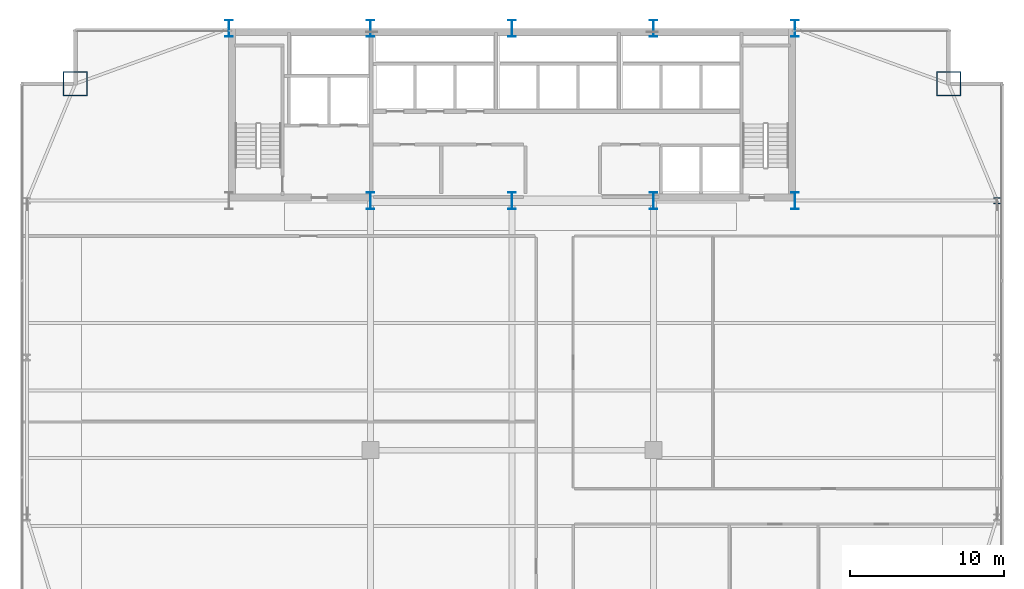
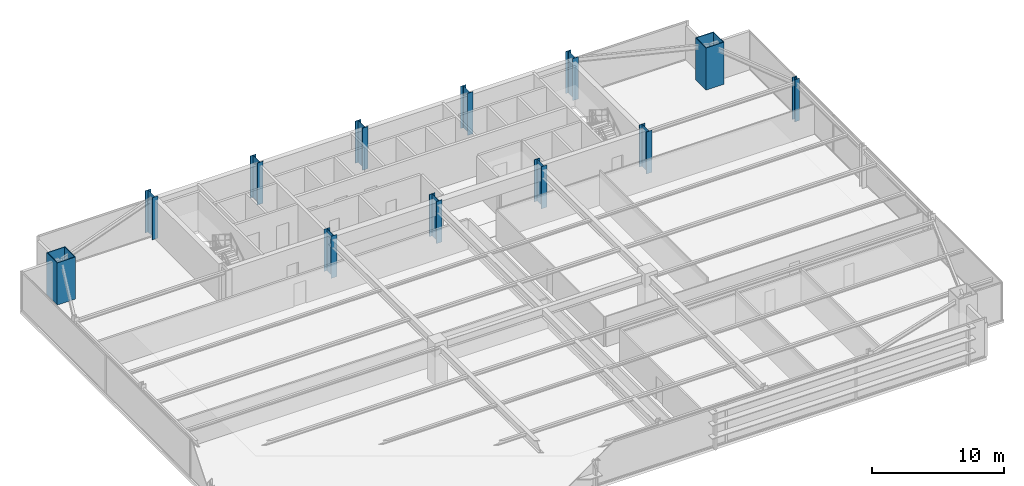
# One storey, part 2 of 32: 12 columns.
"""IFC4 building model written with IfcOpenShell, lengths in metres."""

from ifc_helpers import new_model, si_unit, direction, frame, origin, origin_2d, place, context, subcontext, project, spatial, hollow_rectangle, i_section, extrude, source, transform, mapped, material, material_profile, profile_set, type_object, type_shapes, element, save


model = new_model("IFC4")

# Units and contexts
model_context = context("Model", 3, precision=1e-05, world=origin(), true_north=direction((0.0, 1.0)))
body_context = subcontext(model_context, "Body", "Model", "MODEL_VIEW")
ifc_project = project(units=[si_unit("LENGTHUNIT", "METRE"), si_unit("AREAUNIT", "SQUARE_METRE"), si_unit("VOLUMEUNIT", "CUBIC_METRE"), si_unit("PLANEANGLEUNIT", "RADIAN"), si_unit("MASSUNIT", "GRAM", prefix="KILO")], contexts=[model_context])

# Site, building, storey
site_placement = place(None, origin())
site = spatial("IfcSite", under=ifc_project, at=site_placement, CompositionType="ELEMENT")
building_placement = place(site_placement, origin())
building = spatial("IfcBuilding", under=site, at=building_placement, Name="Varnel Quay Broadcast Tower", CompositionType="ELEMENT")
storey_placement = place(building_placement, frame((0.0, 0.0, 78.300048828125)))
storey = spatial("IfcBuildingStorey", under=building, at=storey_placement, Name="L18", CompositionType="ELEMENT", Elevation=78.300048828125)

# Columns
ifc_material_1 = material(Name="Structural Steel CSA G40.21 350WT", Category="steel")
ifc_material_profile_1 = material_profile(ifc_material_1, i_section(OverallWidth=0.5, OverallDepth=1.10009765625, WebThickness=0.01806640625, FlangeThickness=0.031982421875, FilletRadius=0.01806640625, at=origin_2d()), Name="WWF1100X418")
ifc_profile_set_1 = profile_set([ifc_material_profile_1], Name="Structural Steel CSA G40.21 350WT")
column_type_1 = type_object("IfcColumnType", Name="Col_WWF1100X418", PredefinedType="COLUMN", material=ifc_profile_set_1)
shared_shape_1 = source(origin(), body_context, "Body", "SweptSolid", [
    extrude(i_section(OverallWidth=0.5, OverallDepth=1.10009765625, WebThickness=0.01806640625, FlangeThickness=0.031982421875, FilletRadius=0.01806640625, at=origin_2d()), origin(), (0.0, 0.0, 1.0), 3.89990234375),
])
type_shapes(column_type_1, [shared_shape_1])
for number, where, z_axis, x_axis, name in (
    (1, (15.60009765625, 46.800048828125, 0.0), (0.0, 0.0, 1.0), (1.0, 0.0, 0.0), "L18 Column CC-N1"),
    (2, (24.800048828125, 35.60009765625, 0.0), (0.0, 0.0, 1.0), (1.0, 0.0, 0.0), "L18 Column CC-S2"),
    (3, (24.800048828125, 46.800048828125, 0.0), (0.0, 0.0, 1.0), (1.0, 0.0, 0.0), "L18 Column CC-N2"),
    (4, (34.0, 35.60009765625, 0.0), (0.0, 0.0, 1.0), (1.0, 0.0, 0.0), "L18 Column CC-S3"),
    (5, (34.0, 46.800048828125, 0.0), (0.0, 0.0, 1.0), (1.0, 0.0, 0.0), "L18 Column CC-N3"),
    (6, (43.199951171875, 35.60009765625, 0.0), (0.0, 0.0, 1.0), (1.0, 0.0, 0.0), "L18 Column CC-S4"),
    (7, (43.199951171875, 46.800048828125, 0.0), (0.0, 0.0, 1.0), (1.0, 0.0, 0.0), "L18 Column CC-N4"),
    (8, (52.39990234375, 35.60009765625, 0.0), (0.0, 0.0, 1.0), (1.0, 0.0, 0.0), "L18 Column CC-S5"),
    (9, (52.39990234375, 46.800048828125, 0.0), (0.0, 0.0, 1.0), (1.0, 0.0, 0.0), "L18 Column CC-N5"),
):
    element("IfcColumn", number, at=place(storey_placement, frame(where, z_axis=z_axis, x_axis=x_axis)), inside=storey, type_object=column_type_1, Name=name, PredefinedType="COLUMN", context=body_context, shape_type="MappedRepresentation", body=[
        mapped(shared_shape_1, transform((0.0, 0.0, 0.0), x_axis=(1.0, 0.0, 0.0), y_axis=(0.0, 1.0, 0.0), z_axis=(0.0, 0.0, 1.0), scale=1.0)),
    ])
ifc_material_profile_2 = material_profile(ifc_material_1, hollow_rectangle(XDim=1.60009765625, YDim=1.60009765625, WallThickness=0.06005859375, at=origin_2d()), Name="BOX1600X1600X60")
ifc_profile_set_2 = profile_set([ifc_material_profile_2], Name="Structural Steel CSA G40.21 350WT")
column_type_2 = type_object("IfcColumnType", Name="Col_BOX1600X1600X60", PredefinedType="COLUMN", material=ifc_profile_set_2)
shared_shape_2 = source(origin(), body_context, "Body", "SweptSolid", [
    extrude(hollow_rectangle(XDim=1.60009765625, YDim=1.60009765625, WallThickness=0.06005859375, at=origin_2d()), origin(), (0.0, 0.0, 1.0), 3.89990234375),
])
type_shapes(column_type_2, [shared_shape_2])
for number, where, z_axis, x_axis, name in (
    (10, (62.39990234375, 43.199951171875, 0.0), (0.0, 0.0, 1.0), (1.0, 0.0, 0.0), "L18 Column MC-NE"),
    (11, (5.60009765625, 43.199951171875, 0.0), (0.0, 0.0, 1.0), (1.0, 0.0, 0.0), "L18 Column MC-NW"),
):
    element("IfcColumn", number, at=place(storey_placement, frame(where, z_axis=z_axis, x_axis=x_axis)), inside=storey, type_object=column_type_2, Name=name, PredefinedType="COLUMN", context=body_context, shape_type="MappedRepresentation", body=[
        mapped(shared_shape_2, transform((0.0, 0.0, 0.0), x_axis=(1.0, 0.0, 0.0), y_axis=(0.0, 1.0, 0.0), z_axis=(0.0, 0.0, 1.0), scale=1.0)),
    ])
ifc_material_2 = material(Name="Structural Steel CSA G40.21 350W", Category="steel")
ifc_material_profile_3 = material_profile(ifc_material_2, i_section(OverallWidth=0.404052734375, OverallDepth=0.406982421875, WebThickness=0.027099609375, FlangeThickness=0.043701171875, FilletRadius=0.01806640625, at=origin_2d()), Name="W360X347")
ifc_profile_set_3 = profile_set([ifc_material_profile_3], Name="Structural Steel CSA G40.21 350W")
column_type_3 = type_object("IfcColumnType", Name="Col_W360X347", PredefinedType="COLUMN", material=ifc_profile_set_3)
shared_shape_3 = source(origin(), body_context, "Body", "SweptSolid", [
    extrude(i_section(OverallWidth=0.404052734375, OverallDepth=0.406982421875, WebThickness=0.027099609375, FlangeThickness=0.043701171875, FilletRadius=0.01806640625, at=origin_2d()), origin(), (0.0, 0.0, 1.0), 3.89990234375),
])
type_shapes(column_type_3, [shared_shape_3])
column_placement = place(storey_placement, frame((65.550048828125, 35.60009765625, 0.0), z_axis=(0.0, 0.0, 1.0), x_axis=(1.0, 0.0, 0.0)))
element("IfcColumn", 12, at=column_placement, inside=storey, type_object=column_type_3, Name="L18 Column TC-E3", PredefinedType="COLUMN", context=body_context, shape_type="MappedRepresentation", body=[
    mapped(shared_shape_3, transform((0.0, 0.0, 0.0), x_axis=(1.0, 0.0, 0.0), y_axis=(0.0, 1.0, 0.0), z_axis=(0.0, 0.0, 1.0), scale=1.0)),
])

save(model, "model.ifc")
